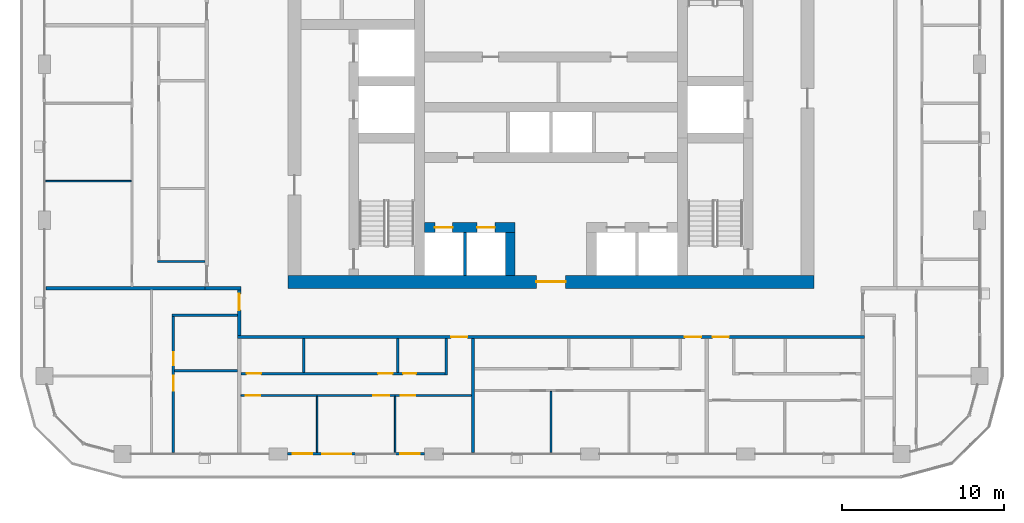
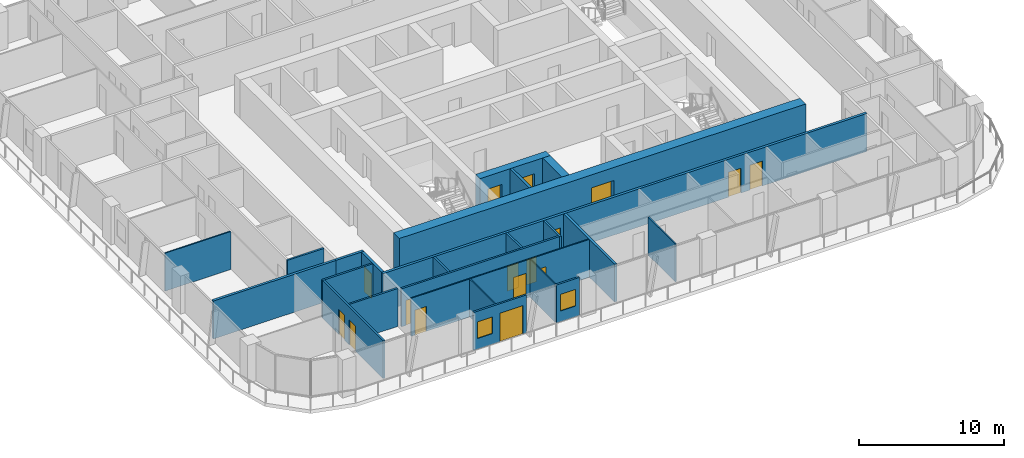
# One storey, part 9 of 22: 24 walls, 16 doors, 2 windows, 18 openings.
"""IFC4 building model written with IfcOpenShell, lengths in metres."""

from ifc_helpers import new_model, si_unit, direction, frame, frame_2d, origin, place, context, subcontext, project, spatial, rectangle, extrude, material, layer, layer_set, type_object, element, fill, save


model = new_model("IFC4")

# Units and contexts
model_context = context("Model", 3, precision=1e-05, world=origin(), true_north=direction((0.0, 1.0)))
body_context = subcontext(model_context, "Body", "Model", "MODEL_VIEW")
ifc_project = project(units=[si_unit("LENGTHUNIT", "METRE"), si_unit("AREAUNIT", "SQUARE_METRE"), si_unit("VOLUMEUNIT", "CUBIC_METRE"), si_unit("PLANEANGLEUNIT", "RADIAN"), si_unit("MASSUNIT", "GRAM", prefix="KILO")], contexts=[model_context])

# Site, building, storey
site_placement = place(None, origin())
site = spatial("IfcSite", under=ifc_project, at=site_placement, CompositionType="ELEMENT")
building_placement = place(site_placement, origin())
building = spatial("IfcBuilding", under=site, at=building_placement, Name="Madar Terraces", CompositionType="ELEMENT")
storey_placement = place(building_placement, frame((0.0, 0.0, 129.60009765625)))
storey = spatial("IfcBuildingStorey", under=building, at=storey_placement, Name="L33", CompositionType="ELEMENT", Elevation=129.60009765625)

# Wall, openings, doors
ifc_material_1 = material(Name="Concrete C70/85", Category="concrete")
ifc_layer_1 = layer(ifc_material_1, 0.60009765625)
ifc_layer_set_1 = layer_set([ifc_layer_1], Name="Concrete C70/85 (CIW3 RC wall 600)")
wall_type_1 = type_object("IfcWallType", Name="CIW3 RC wall 600", PredefinedType="SHEAR", material=ifc_layer_set_1)
wall_1_placement = place(storey_placement, frame((23.39990234375, 18.75, 0.0), z_axis=(0.0, 0.0, 1.0), x_axis=(1.0, 0.0, 0.0)))
wall_1 = element("IfcWall", 1, at=wall_1_placement, inside=storey, type_object=wall_type_1, Name="CORE SHAFT WALL", PredefinedType="SHEAR", context=body_context, shape_type="SweptSolid", body=[
    extrude(rectangle(XDim=5.60009765625, YDim=0.60009765625, at=frame_2d((2.800048828125, 0.0))), origin(), (0.0, 0.0, 1.0), 3.199951171875),
])
opening_1_placement = place(wall_1_placement, frame((0.64990234375, 0.0, 0.0)))
opening_1 = element("IfcOpeningElement", 2, at=opening_1_placement, cuts=wall_1, Name="Opening LD", PredefinedType="OPENING", context=body_context, shape_type="SweptSolid", body=[
    extrude(rectangle(XDim=1.10009765625, YDim=2.10009765625, at=frame_2d((0.550048828125, 1.050048828125))), frame((0.0, 0.31005859375, 0.0), z_axis=(0.0, -1.0, 0.0), x_axis=(1.0, 0.0, 0.0)), (0.0, 0.0, 1.0), 0.6201171875),
])
opening_2_placement = place(wall_1_placement, frame((3.25, 0.0, 0.0)))
opening_2 = element("IfcOpeningElement", 3, at=opening_2_placement, cuts=wall_1, Name="Opening LD", PredefinedType="OPENING", context=body_context, shape_type="SweptSolid", body=[
    extrude(rectangle(XDim=1.10009765625, YDim=2.10009765625, at=frame_2d((0.550048828125, 1.050048828125))), frame((0.0, 0.31005859375, 0.0), z_axis=(0.0, -1.0, 0.0), x_axis=(1.0, 0.0, 0.0)), (0.0, 0.0, 1.0), 0.6201171875),
])
ifc_material_2 = material(Name="Stainless steel panel", Category="steel")
door_type_1 = type_object("IfcDoorType", Name="Lift landing door 1100 x 2100", OperationType="DOUBLE_DOOR_SLIDING", PredefinedType="DOOR", material=ifc_material_2)
door_1_placement = place(opening_1_placement, origin())
door_1 = element("IfcDoor", 4, at=door_1_placement, inside=storey, type_object=door_type_1, Name="LIFT LANDING DOOR", OperationType="DOUBLE_DOOR_SLIDING", OverallHeight=2.10009765625, OverallWidth=1.10009765625, PredefinedType="DOOR", context=body_context, shape_type="SweptSolid", body=[
    extrude(rectangle(XDim=1.10009765625, YDim=2.10009765625, at=frame_2d((0.550048828125, 1.050048828125))), frame((0.0, 0.02490234375, 0.0), z_axis=(0.0, -1.0, 0.0), x_axis=(1.0, 0.0, 0.0)), (0.0, 0.0, 1.0), 0.050048828125),
])
fill(opening_1, door_1)
door_2_placement = place(opening_2_placement, origin())
door_2 = element("IfcDoor", 5, at=door_2_placement, inside=storey, type_object=door_type_1, Name="LIFT LANDING DOOR", OperationType="DOUBLE_DOOR_SLIDING", OverallHeight=2.10009765625, OverallWidth=1.10009765625, PredefinedType="DOOR", context=body_context, shape_type="SweptSolid", body=[
    extrude(rectangle(XDim=1.10009765625, YDim=2.10009765625, at=frame_2d((0.550048828125, 1.050048828125))), frame((0.0, 0.02490234375, 0.0), z_axis=(0.0, -1.0, 0.0), x_axis=(1.0, 0.0, 0.0)), (0.0, 0.0, 1.0), 0.050048828125),
])
fill(opening_2, door_2)

# Wall
wall_2_placement = place(storey_placement, frame((28.699951171875, 15.800048828125, 0.0), z_axis=(0.0, 0.0, 1.0), x_axis=(0.0, 1.0, 0.0)))
element("IfcWall", 6, at=wall_2_placement, inside=storey, type_object=wall_type_1, Name="CORE SHAFT WALL", PredefinedType="SHEAR", context=body_context, shape_type="SweptSolid", body=[
    extrude(rectangle(XDim=2.64990234375, YDim=0.60009765625, at=frame_2d((1.324951171875, 0.0))), origin(), (0.0, 0.0, 1.0), 3.199951171875),
])

# Wall, opening, door
ifc_material_3 = material(Name="Concrete C70/85", Category="concrete")
ifc_layer_2 = layer(ifc_material_3, 0.800048828125)
ifc_layer_set_2 = layer_set([ifc_layer_2], Name="Concrete C70/85 (CRW3 RC wall 800)")
wall_type_2 = type_object("IfcWallType", Name="CRW3 RC wall 800", PredefinedType="SHEAR", material=ifc_layer_set_2)
wall_3_placement = place(storey_placement, frame((15.0, 15.39990234375, 0.0), z_axis=(0.0, 0.0, 1.0), x_axis=(1.0, 0.0, 0.0)))
wall_3 = element("IfcWall", 7, at=wall_3_placement, inside=storey, type_object=wall_type_2, Name="CORE OUTER WALL", PredefinedType="SHEAR", context=body_context, shape_type="SweptSolid", body=[
    extrude(rectangle(XDim=32.39990234375, YDim=0.800048828125, at=frame_2d((16.199951171875, 0.0))), origin(), (0.0, 0.0, 1.0), 3.199951171875),
])
opening_3_placement = place(wall_3_placement, frame((15.300048828125, 0.0, 0.0)))
opening_3 = element("IfcOpeningElement", 8, at=opening_3_placement, cuts=wall_3, Name="Opening KD1", PredefinedType="OPENING", context=body_context, shape_type="SweptSolid", body=[
    extrude(rectangle(XDim=1.800048828125, YDim=2.10009765625, at=frame_2d((0.89990234375, 1.050048828125))), frame((0.0, 0.409912109375, 0.0), z_axis=(0.0, -1.0, 0.0), x_axis=(1.0, 0.0, 0.0)), (0.0, 0.0, 1.0), 0.820068359375),
])
ifc_material_4 = material(Name="Steel door leaf", Category="steel")
door_type_2 = type_object("IfcDoorType", Name="Lobby door pair 1800 x 2100", OperationType="DOUBLE_DOOR_SINGLE_SWING", PredefinedType="DOOR", material=ifc_material_4)
door_3_placement = place(opening_3_placement, frame((1.800048828125, 0.0, 0.0), z_axis=(0.0, 0.0, 1.0), x_axis=(-1.0, 0.0, 0.0)))
door_3 = element("IfcDoor", 9, at=door_3_placement, inside=storey, type_object=door_type_2, Name="LIFT LOBBY DOOR", OperationType="DOUBLE_DOOR_SINGLE_SWING", OverallHeight=2.10009765625, OverallWidth=1.800048828125, PredefinedType="DOOR", context=body_context, shape_type="SweptSolid", body=[
    extrude(rectangle(XDim=1.800048828125, YDim=2.10009765625, at=frame_2d((0.89990234375, 1.050048828125))), frame((0.0, 0.02490234375, 0.0), z_axis=(0.0, -1.0, 0.0), x_axis=(1.0, 0.0, 0.0)), (0.0, 0.0, 1.0), 0.050048828125),
])
fill(opening_3, door_3)

# Wall
ifc_material_5 = material(Name="Concrete C40/50", Category="concrete")
ifc_layer_3 = layer(ifc_material_5, 0.199951171875)
ifc_layer_set_3 = layer_set([ifc_layer_3], Name="Core shaft dividing wall 200 C40/50")
wall_type_3 = type_object("IfcWallType", Name="Core shaft dividing wall 200 C40/50", PredefinedType="SOLIDWALL", material=ifc_layer_set_3)
wall_4_placement = place(storey_placement, frame((25.89990234375, 15.800048828125, 0.0), z_axis=(0.0, 0.0, 1.0), x_axis=(0.0, 1.0, 0.0)))
element("IfcWall", 10, at=wall_4_placement, inside=storey, type_object=wall_type_3, Name="SHAFT DIVIDING WALL", PredefinedType="SOLIDWALL", context=body_context, shape_type="SweptSolid", body=[
    extrude(rectangle(XDim=2.64990234375, YDim=0.199951171875, at=frame_2d((1.324951171875, 0.0))), origin(), (0.0, 0.0, 1.0), 3.199951171875),
])

# Wall, openings, door, window
ifc_material_6 = material(Name="Aluminium composite panel, black, over insulated backing", Category="aluminium")
ifc_layer_4 = layer(ifc_material_6, 0.14990234375)
ifc_layer_set_4 = layer_set([ifc_layer_4], Name="Facade bay panel 150")
wall_type_4 = type_object("IfcWallType", Name="Facade bay panel 150", PredefinedType="SOLIDWALL", material=ifc_layer_set_4)
wall_5_placement = place(storey_placement, frame((14.97509765625, 4.800048828125, 0.0), z_axis=(0.0, 0.0, 1.0), x_axis=(1.0, 0.0, 0.0)))
wall_5 = element("IfcWall", 11, at=wall_5_placement, inside=storey, type_object=wall_type_4, Name="Facade bay panel", PredefinedType="SOLIDWALL", context=body_context, shape_type="SweptSolid", body=[
    extrude(rectangle(XDim=4.224853515625, YDim=0.14990234375, at=frame_2d((2.1123046875, 0.0))), origin(), (0.0, 0.0, 1.0), 3.199951171875),
])
opening_4_placement = place(wall_5_placement, frame((0.3125, 0.0, 0.89990234375)))
opening_4 = element("IfcOpeningElement", 12, at=opening_4_placement, cuts=wall_5, Name="Opening W1", PredefinedType="OPENING", context=body_context, shape_type="SweptSolid", body=[
    extrude(rectangle(XDim=1.199951171875, YDim=1.39990234375, at=frame_2d((0.60009765625, 0.699951171875))), frame((0.0, 0.0849609375, 0.0), z_axis=(0.0, -1.0, 0.0), x_axis=(1.0, 0.0, 0.0)), (0.0, 0.0, 1.0), 0.169921875),
])
opening_5_placement = place(wall_5_placement, frame((2.125, 0.0, 0.0)))
opening_5 = element("IfcOpeningElement", 13, at=opening_5_placement, cuts=wall_5, Name="Opening ED1", PredefinedType="OPENING", context=body_context, shape_type="SweptSolid", body=[
    extrude(rectangle(XDim=1.800048828125, YDim=2.39990234375, at=frame_2d((0.89990234375, 1.199951171875))), frame((0.0, 0.0849609375, 0.0), z_axis=(0.0, -1.0, 0.0), x_axis=(1.0, 0.0, 0.0)), (0.0, 0.0, 1.0), 0.169921875),
])
ifc_material_7 = material(Name="Glass, clear, with black aluminium frame", Category="aluminium")
door_type_3 = type_object("IfcDoorType", Name="Balcony and terrace sliding door 1800 x 2400", OperationType="SLIDING_TO_LEFT", PredefinedType="DOOR", material=ifc_material_7)
door_4_placement = place(opening_5_placement, origin())
door_4 = element("IfcDoor", 14, at=door_4_placement, inside=storey, type_object=door_type_3, Name="Balcony door", OperationType="SLIDING_TO_LEFT", OverallHeight=2.39990234375, OverallWidth=1.800048828125, PredefinedType="DOOR", context=body_context, shape_type="SweptSolid", body=[
    extrude(rectangle(XDim=1.800048828125, YDim=2.39990234375, at=frame_2d((0.89990234375, 1.199951171875))), frame((0.0, 0.02490234375, 0.0), z_axis=(0.0, -1.0, 0.0), x_axis=(1.0, 0.0, 0.0)), (0.0, 0.0, 1.0), 0.050048828125),
])
fill(opening_5, door_4)
ifc_material_8 = material(Name="Glass, clear, with black aluminium frame", Category="aluminium")
window_type = type_object("IfcWindowType", Name="Vent window 1200 x 1400", PartitioningType="SINGLE_PANEL", PredefinedType="WINDOW", material=ifc_material_8)
window_1_placement = place(opening_4_placement, origin())
window_1 = element("IfcWindow", 15, at=window_1_placement, inside=storey, type_object=window_type, Name="Operable vent window", OverallHeight=1.39990234375, OverallWidth=1.199951171875, PartitioningType="SINGLE_PANEL", PredefinedType="WINDOW", context=body_context, shape_type="SweptSolid", body=[
    extrude(rectangle(XDim=1.199951171875, YDim=1.39990234375, at=frame_2d((0.60009765625, 0.699951171875))), frame((0.0, 0.030029296875, 0.0), z_axis=(0.0, -1.0, 0.0), x_axis=(1.0, 0.0, 0.0)), (0.0, 0.0, 1.0), 0.06005859375),
])
fill(opening_4, window_1)

# Wall, opening, window
wall_6_placement = place(storey_placement, frame((21.60009765625, 4.800048828125, 0.0), z_axis=(0.0, 0.0, 1.0), x_axis=(1.0, 0.0, 0.0)))
wall_6 = element("IfcWall", 16, at=wall_6_placement, inside=storey, type_object=wall_type_4, Name="Facade bay panel", PredefinedType="SOLIDWALL", context=body_context, shape_type="SweptSolid", body=[
    extrude(rectangle(XDim=1.824951171875, YDim=0.14990234375, at=frame_2d((0.91259765625, 0.0))), origin(), (0.0, 0.0, 1.0), 3.199951171875),
])
opening_6_placement = place(wall_6_placement, frame((0.3125, 0.0, 0.89990234375)))
opening_6 = element("IfcOpeningElement", 17, at=opening_6_placement, cuts=wall_6, Name="Opening W1", PredefinedType="OPENING", context=body_context, shape_type="SweptSolid", body=[
    extrude(rectangle(XDim=1.199951171875, YDim=1.39990234375, at=frame_2d((0.60009765625, 0.699951171875))), frame((0.0, 0.0849609375, 0.0), z_axis=(0.0, -1.0, 0.0), x_axis=(1.0, 0.0, 0.0)), (0.0, 0.0, 1.0), 0.169921875),
])
window_2_placement = place(opening_6_placement, origin())
window_2 = element("IfcWindow", 18, at=window_2_placement, inside=storey, type_object=window_type, Name="Operable vent window", OverallHeight=1.39990234375, OverallWidth=1.199951171875, PartitioningType="SINGLE_PANEL", PredefinedType="WINDOW", context=body_context, shape_type="SweptSolid", body=[
    extrude(rectangle(XDim=1.199951171875, YDim=1.39990234375, at=frame_2d((0.60009765625, 0.699951171875))), frame((0.0, 0.030029296875, 0.0), z_axis=(0.0, -1.0, 0.0), x_axis=(1.0, 0.0, 0.0)), (0.0, 0.0, 1.0), 0.06005859375),
])
fill(opening_6, window_2)

# Walls
ifc_material_9 = material(Name="Gypsum board on steel studs", Category="steel")
ifc_layer_5 = layer(ifc_material_9, 0.10009765625)
ifc_layer_set_5 = layer_set([ifc_layer_5], Name="Flat partition 100")
wall_type_5 = type_object("IfcWallType", Name="Flat partition 100", PredefinedType="PARTITIONING", material=ifc_layer_set_5)
for number, where, z_axis, x_axis, name in (
    (19, (21.60009765625, 8.35009765625, 0.0), (0.0, 0.0, 1.0), (0.0, -1.0, 0.0), "Flat partition 100"),
    (20, (16.800048828125, 8.35009765625, 0.0), (0.0, 0.0, 1.0), (0.0, -1.0, 0.0), "Flat partition 100"),
):
    element("IfcWall", number, at=place(storey_placement, frame(where, z_axis=z_axis, x_axis=x_axis)), inside=storey, type_object=wall_type_5, Name=name, PredefinedType="PARTITIONING", context=body_context, shape_type="SweptSolid", body=[
        extrude(rectangle(XDim=3.4501953125, YDim=0.10009765625, at=frame_2d((1.72509765625, 0.0))), origin(), (0.0, 0.0, 1.0), 3.199951171875),
    ])

# Wall, openings, doors
wall_7_placement = place(storey_placement, frame((26.300048828125, 8.39990234375, 0.0), z_axis=(0.0, 0.0, 1.0), x_axis=(-1.0, 0.0, 0.0)))
wall_7 = element("IfcWall", 21, at=wall_7_placement, inside=storey, type_object=wall_type_5, Name="Flat partition 100", PredefinedType="PARTITIONING", context=body_context, shape_type="SweptSolid", body=[
    extrude(rectangle(XDim=14.199951171875, YDim=0.10009765625, at=frame_2d((7.10009765625, 0.0))), origin(), (0.0, 0.0, 1.0), 3.199951171875),
])
opening_7_placement = place(wall_7_placement, frame((3.449951171875, 0.0, 0.0)))
opening_7 = element("IfcOpeningElement", 22, at=opening_7_placement, cuts=wall_7, Name="Opening D2", PredefinedType="OPENING", context=body_context, shape_type="SweptSolid", body=[
    extrude(rectangle(XDim=0.89990234375, YDim=2.10009765625, at=frame_2d((0.449951171875, 1.050048828125))), frame((0.0, 0.06005859375, 0.0), z_axis=(0.0, -1.0, 0.0), x_axis=(1.0, 0.0, 0.0)), (0.0, 0.0, 1.0), 0.1201171875),
])
opening_8_placement = place(wall_7_placement, frame((5.050048828125, 0.0, 0.0)))
opening_8 = element("IfcOpeningElement", 23, at=opening_8_placement, cuts=wall_7, Name="Opening D3", PredefinedType="OPENING", context=body_context, shape_type="SweptSolid", body=[
    extrude(rectangle(XDim=1.0, YDim=2.10009765625, at=frame_2d((0.5, 1.050048828125))), frame((0.0, 0.06005859375, 0.0), z_axis=(0.0, -1.0, 0.0), x_axis=(1.0, 0.0, 0.0)), (0.0, 0.0, 1.0), 0.1201171875),
])
opening_9_placement = place(wall_7_placement, frame((13.0, 0.0, 0.0)))
opening_9 = element("IfcOpeningElement", 24, at=opening_9_placement, cuts=wall_7, Name="Opening D2", PredefinedType="OPENING", context=body_context, shape_type="SweptSolid", body=[
    extrude(rectangle(XDim=0.89990234375, YDim=2.10009765625, at=frame_2d((0.449951171875, 1.050048828125))), frame((0.0, 0.06005859375, 0.0), z_axis=(0.0, -1.0, 0.0), x_axis=(1.0, 0.0, 0.0)), (0.0, 0.0, 1.0), 0.1201171875),
])
ifc_material_10 = material(Name="Timber door leaf", Category="wood")
door_type_4 = type_object("IfcDoorType", Name="Flat living room door 1000", OperationType="NOTDEFINED", PredefinedType="DOOR", material=ifc_material_10)
door_5_placement = place(opening_8_placement, origin())
door_5 = element("IfcDoor", 25, at=door_5_placement, inside=storey, type_object=door_type_4, Name="Flat living room door 1000", OperationType="SINGLE_SWING_LEFT", OverallHeight=2.10009765625, OverallWidth=1.0, PredefinedType="DOOR", context=body_context, shape_type="SweptSolid", body=[
    extrude(rectangle(XDim=1.0, YDim=2.10009765625, at=frame_2d((0.5, 1.050048828125))), frame((0.0, 0.02490234375, 0.0), z_axis=(0.0, -1.0, 0.0), x_axis=(1.0, 0.0, 0.0)), (0.0, 0.0, 1.0), 0.050048828125),
])
fill(opening_8, door_5)
ifc_material_11 = material(Name="Timber door leaf", Category="wood")
door_type_5 = type_object("IfcDoorType", Name="Flat room door 900", OperationType="NOTDEFINED", PredefinedType="DOOR", material=ifc_material_11)
door_6_placement = place(opening_7_placement, origin())
door_6 = element("IfcDoor", 26, at=door_6_placement, inside=storey, type_object=door_type_5, Name="Flat room door 900", OperationType="SINGLE_SWING_RIGHT", OverallHeight=2.10009765625, OverallWidth=0.89990234375, PredefinedType="DOOR", context=body_context, shape_type="SweptSolid", body=[
    extrude(rectangle(XDim=0.89990234375, YDim=2.10009765625, at=frame_2d((0.449951171875, 1.050048828125))), frame((0.0, 0.02490234375, 0.0), z_axis=(0.0, -1.0, 0.0), x_axis=(1.0, 0.0, 0.0)), (0.0, 0.0, 1.0), 0.050048828125),
])
fill(opening_7, door_6)
door_7_placement = place(opening_9_placement, origin())
door_7 = element("IfcDoor", 27, at=door_7_placement, inside=storey, type_object=door_type_5, Name="Flat room door 900", OperationType="SINGLE_SWING_RIGHT", OverallHeight=2.10009765625, OverallWidth=0.89990234375, PredefinedType="DOOR", context=body_context, shape_type="SweptSolid", body=[
    extrude(rectangle(XDim=0.89990234375, YDim=2.10009765625, at=frame_2d((0.449951171875, 1.050048828125))), frame((0.0, 0.02490234375, 0.0), z_axis=(0.0, -1.0, 0.0), x_axis=(1.0, 0.0, 0.0)), (0.0, 0.0, 1.0), 0.050048828125),
])
fill(opening_9, door_7)

# Walls
wall_8_placement = place(storey_placement, frame((31.199951171875, 8.64990234375, 0.0), z_axis=(0.0, 0.0, 1.0), x_axis=(0.0, -1.0, 0.0)))
element("IfcWall", 28, at=wall_8_placement, inside=storey, type_object=wall_type_5, Name="Flat partition 100", PredefinedType="PARTITIONING", context=body_context, shape_type="SweptSolid", body=[
    extrude(rectangle(XDim=3.75, YDim=0.10009765625, at=frame_2d((1.875, 0.0))), origin(), (0.0, 0.0, 1.0), 3.199951171875),
])
wall_9_placement = place(storey_placement, frame((5.35009765625, 21.60009765625, 0.0), z_axis=(0.0, 0.0, 1.0), x_axis=(-1.0, 0.0, 0.0)))
element("IfcWall", 29, at=wall_9_placement, inside=storey, type_object=wall_type_5, Name="Flat partition 100", PredefinedType="PARTITIONING", context=body_context, shape_type="SweptSolid", body=[
    extrude(rectangle(XDim=5.25, YDim=0.10009765625, at=frame_2d((2.625, 0.0))), origin(), (0.0, 0.0, 1.0), 3.199951171875),
])

# Wall, openings, doors
ifc_material_12 = material(Name="Lightweight blockwork", Category="masonry")
ifc_layer_6 = layer(ifc_material_12, 0.199951171875)
ifc_layer_set_6 = layer_set([ifc_layer_6], Name="Flat party and entrance wall 200")
wall_type_6 = type_object("IfcWallType", Name="Flat party and entrance wall 200", PredefinedType="PARTITIONING", material=ifc_layer_set_6)
wall_10_placement = place(storey_placement, frame((50.5, 12.0, 0.0), z_axis=(0.0, 0.0, 1.0), x_axis=(-1.0, 0.0, 0.0)))
wall_10 = element("IfcWall", 30, at=wall_10_placement, inside=storey, type_object=wall_type_6, Name="Flat party and entrance wall 200", PredefinedType="PARTITIONING", context=body_context, shape_type="SweptSolid", body=[
    extrude(rectangle(XDim=38.60009765625, YDim=0.199951171875, at=frame_2d((19.300048828125, 0.0))), origin(), (0.0, 0.0, 1.0), 3.199951171875),
])
opening_10_placement = place(wall_10_placement, frame((24.449951171875, 0.0, 0.0)))
opening_10 = element("IfcOpeningElement", 31, at=opening_10_placement, cuts=wall_10, Name="Opening D1", PredefinedType="OPENING", context=body_context, shape_type="SweptSolid", body=[
    extrude(rectangle(XDim=1.0, YDim=2.10009765625, at=frame_2d((0.5, 1.050048828125))), frame((0.0, 0.10986328125, 0.0), z_axis=(0.0, -1.0, 0.0), x_axis=(1.0, 0.0, 0.0)), (0.0, 0.0, 1.0), 0.219970703125),
])
opening_11_placement = place(wall_10_placement, frame((10.050048828125, 0.0, 0.0)))
opening_11 = element("IfcOpeningElement", 32, at=opening_11_placement, cuts=wall_10, Name="Opening D1", PredefinedType="OPENING", context=body_context, shape_type="SweptSolid", body=[
    extrude(rectangle(XDim=1.0, YDim=2.10009765625, at=frame_2d((0.5, 1.050048828125))), frame((0.0, 0.10986328125, 0.0), z_axis=(0.0, -1.0, 0.0), x_axis=(1.0, 0.0, 0.0)), (0.0, 0.0, 1.0), 0.219970703125),
])
opening_12_placement = place(wall_10_placement, frame((8.35009765625, 0.0, 0.0)))
opening_12 = element("IfcOpeningElement", 33, at=opening_12_placement, cuts=wall_10, Name="Opening D1", PredefinedType="OPENING", context=body_context, shape_type="SweptSolid", body=[
    extrude(rectangle(XDim=1.0, YDim=2.10009765625, at=frame_2d((0.5, 1.050048828125))), frame((0.0, 0.10986328125, 0.0), z_axis=(0.0, -1.0, 0.0), x_axis=(1.0, 0.0, 0.0)), (0.0, 0.0, 1.0), 0.219970703125),
])
ifc_material_13 = material(Name="Timber fire door leaf", Category="wood")
door_type_6 = type_object("IfcDoorType", Name="Flat entrance door 1000 FD30S", OperationType="NOTDEFINED", PredefinedType="DOOR", material=ifc_material_13)
door_8_placement = place(opening_10_placement, origin())
door_8 = element("IfcDoor", 34, at=door_8_placement, inside=storey, type_object=door_type_6, Name="Flat entrance door 1000 FD30S", OperationType="SINGLE_SWING_LEFT", OverallHeight=2.10009765625, OverallWidth=1.0, PredefinedType="DOOR", context=body_context, shape_type="SweptSolid", body=[
    extrude(rectangle(XDim=1.0, YDim=2.10009765625, at=frame_2d((0.5, 1.050048828125))), frame((0.0, 0.02490234375, 0.0), z_axis=(0.0, -1.0, 0.0), x_axis=(1.0, 0.0, 0.0)), (0.0, 0.0, 1.0), 0.050048828125),
])
fill(opening_10, door_8)
door_9_placement = place(opening_11_placement, origin())
door_9 = element("IfcDoor", 35, at=door_9_placement, inside=storey, type_object=door_type_6, Name="Flat entrance door 1000 FD30S", OperationType="SINGLE_SWING_LEFT", OverallHeight=2.10009765625, OverallWidth=1.0, PredefinedType="DOOR", context=body_context, shape_type="SweptSolid", body=[
    extrude(rectangle(XDim=1.0, YDim=2.10009765625, at=frame_2d((0.5, 1.050048828125))), frame((0.0, 0.02490234375, 0.0), z_axis=(0.0, -1.0, 0.0), x_axis=(1.0, 0.0, 0.0)), (0.0, 0.0, 1.0), 0.050048828125),
])
fill(opening_11, door_9)
door_10_placement = place(opening_12_placement, origin())
door_10 = element("IfcDoor", 36, at=door_10_placement, inside=storey, type_object=door_type_6, Name="Flat entrance door 1000 FD30S", OperationType="SINGLE_SWING_RIGHT", OverallHeight=2.10009765625, OverallWidth=1.0, PredefinedType="DOOR", context=body_context, shape_type="SweptSolid", body=[
    extrude(rectangle(XDim=1.0, YDim=2.10009765625, at=frame_2d((0.5, 1.050048828125))), frame((0.0, 0.02490234375, 0.0), z_axis=(0.0, -1.0, 0.0), x_axis=(1.0, 0.0, 0.0)), (0.0, 0.0, 1.0), 0.050048828125),
])
fill(opening_12, door_10)

# Wall
wall_11_placement = place(storey_placement, frame((9.89990234375, 15.0, 0.0), z_axis=(0.0, 0.0, 1.0), x_axis=(1.0, 0.0, 0.0)))
element("IfcWall", 37, at=wall_11_placement, inside=storey, type_object=wall_type_6, Name="Flat party and entrance wall 200", PredefinedType="PARTITIONING", context=body_context, shape_type="SweptSolid", body=[
    extrude(rectangle(XDim=2.2001953125, YDim=0.199951171875, at=frame_2d((1.10009765625, 0.0))), origin(), (0.0, 0.0, 1.0), 3.199951171875),
])

# Wall, opening, door
wall_12_placement = place(storey_placement, frame((12.0, 12.10009765625, 0.0), z_axis=(0.0, 0.0, 1.0), x_axis=(0.0, 1.0, 0.0)))
wall_12 = element("IfcWall", 38, at=wall_12_placement, inside=storey, type_object=wall_type_6, Name="Flat party and entrance wall 200", PredefinedType="PARTITIONING", context=body_context, shape_type="SweptSolid", body=[
    extrude(rectangle(XDim=2.7998046875, YDim=0.199951171875, at=frame_2d((1.39990234375, 0.0))), origin(), (0.0, 0.0, 1.0), 3.199951171875),
])
opening_13_placement = place(wall_12_placement, frame((1.550048828125, 0.0, 0.0)))
opening_13 = element("IfcOpeningElement", 39, at=opening_13_placement, cuts=wall_12, Name="Opening D1", PredefinedType="OPENING", context=body_context, shape_type="SweptSolid", body=[
    extrude(rectangle(XDim=1.0, YDim=2.10009765625, at=frame_2d((0.5, 1.050048828125))), frame((0.0, 0.10986328125, 0.0), z_axis=(0.0, -1.0, 0.0), x_axis=(1.0, 0.0, 0.0)), (0.0, 0.0, 1.0), 0.219970703125),
])
door_11_placement = place(opening_13_placement, origin())
door_11 = element("IfcDoor", 40, at=door_11_placement, inside=storey, type_object=door_type_6, Name="Flat entrance door 1000 FD30S", OperationType="SINGLE_SWING_RIGHT", OverallHeight=2.10009765625, OverallWidth=1.0, PredefinedType="DOOR", context=body_context, shape_type="SweptSolid", body=[
    extrude(rectangle(XDim=1.0, YDim=2.10009765625, at=frame_2d((0.5, 1.050048828125))), frame((0.0, 0.02490234375, 0.0), z_axis=(0.0, -1.0, 0.0), x_axis=(1.0, 0.0, 0.0)), (0.0, 0.0, 1.0), 0.050048828125),
])
fill(opening_13, door_11)

# Walls
wall_13_placement = place(storey_placement, frame((26.39990234375, 11.89990234375, 0.0), z_axis=(0.0, 0.0, 1.0), x_axis=(0.0, -1.0, 0.0)))
element("IfcWall", 41, at=wall_13_placement, inside=storey, type_object=wall_type_6, Name="Flat party and entrance wall 200", PredefinedType="PARTITIONING", context=body_context, shape_type="SweptSolid", body=[
    extrude(rectangle(XDim=7.0, YDim=0.199951171875, at=frame_2d((3.5, 0.0))), origin(), (0.0, 0.0, 1.0), 3.199951171875),
])
wall_14_placement = place(storey_placement, frame((0.10009765625, 15.0, 0.0), z_axis=(0.0, 0.0, 1.0), x_axis=(1.0, 0.0, 0.0)))
element("IfcWall", 42, at=wall_14_placement, inside=storey, type_object=wall_type_6, Name="Flat party and entrance wall 200", PredefinedType="PARTITIONING", context=body_context, shape_type="SweptSolid", body=[
    extrude(rectangle(XDim=9.7998046875, YDim=0.199951171875, at=frame_2d((4.89990234375, 0.0))), origin(), (0.0, 0.0, 1.0), 3.199951171875),
])
ifc_material_14 = material(Name="Lightweight blockwork", Category="masonry")
ifc_layer_7 = layer(ifc_material_14, 0.14990234375)
ifc_layer_set_7 = layer_set([ifc_layer_7], Name="Flat wet-room partition 150")
wall_type_7 = type_object("IfcWallType", Name="Flat wet-room partition 150", PredefinedType="PARTITIONING", material=ifc_layer_set_7)
for number, where, z_axis, x_axis, name in (
    (43, (21.773193359375, 11.89990234375, 0.0), (0.0, 0.0, 1.0), (0.0, -1.0, 0.0), "Flat wet-room partition 150"),
    (44, (15.96923828125, 11.89990234375, 0.0), (0.0, 0.0, 1.0), (0.0, -1.0, 0.0), "Flat wet-room partition 150"),
):
    element("IfcWall", number, at=place(storey_placement, frame(where, z_axis=z_axis, x_axis=x_axis)), inside=storey, type_object=wall_type_7, Name=name, PredefinedType="PARTITIONING", context=body_context, shape_type="SweptSolid", body=[
        extrude(rectangle(XDim=2.074951171875, YDim=0.14990234375, at=frame_2d((1.03759765625, 0.0))), origin(), (0.0, 0.0, 1.0), 3.199951171875),
    ])
wall_15_placement = place(storey_placement, frame((24.75, 11.89990234375, 0.0), z_axis=(0.0, 0.0, 1.0), x_axis=(0.0, -1.0, 0.0)))
element("IfcWall", 45, at=wall_15_placement, inside=storey, type_object=wall_type_7, Name="Flat wet-room partition 150", PredefinedType="PARTITIONING", context=body_context, shape_type="SweptSolid", body=[
    extrude(rectangle(XDim=2.224853515625, YDim=0.14990234375, at=frame_2d((1.1123046875, 0.0))), origin(), (0.0, 0.0, 1.0), 3.199951171875),
])

# Wall, openings, doors
wall_16_placement = place(storey_placement, frame((12.10009765625, 9.75, 0.0), z_axis=(0.0, 0.0, 1.0), x_axis=(1.0, 0.0, 0.0)))
wall_16 = element("IfcWall", 46, at=wall_16_placement, inside=storey, type_object=wall_type_7, Name="Flat wet-room partition 150", PredefinedType="PARTITIONING", context=body_context, shape_type="SweptSolid", body=[
    extrude(rectangle(XDim=12.574951171875, YDim=0.14990234375, at=frame_2d((6.28759765625, 0.0))), origin(), (0.0, 0.0, 1.0), 3.199951171875),
])
opening_14_placement = place(wall_16_placement, frame((9.998046875, 0.0, 0.0)))
opening_14 = element("IfcOpeningElement", 47, at=opening_14_placement, cuts=wall_16, Name="Opening D4", PredefinedType="OPENING", context=body_context, shape_type="SweptSolid", body=[
    extrude(rectangle(XDim=0.800048828125, YDim=2.10009765625, at=frame_2d((0.39990234375, 1.050048828125))), frame((0.0, 0.0849609375, 0.0), z_axis=(0.0, -1.0, 0.0), x_axis=(1.0, 0.0, 0.0)), (0.0, 0.0, 1.0), 0.169921875),
])
opening_15_placement = place(wall_16_placement, frame((8.447998046875, 0.0, 0.0)))
opening_15 = element("IfcOpeningElement", 48, at=opening_15_placement, cuts=wall_16, Name="Opening D2", PredefinedType="OPENING", context=body_context, shape_type="SweptSolid", body=[
    extrude(rectangle(XDim=0.89990234375, YDim=2.10009765625, at=frame_2d((0.449951171875, 1.050048828125))), frame((0.0, 0.0849609375, 0.0), z_axis=(0.0, -1.0, 0.0), x_axis=(1.0, 0.0, 0.0)), (0.0, 0.0, 1.0), 0.169921875),
])
opening_16_placement = place(wall_16_placement, frame((0.35009765625, 0.0, 0.0)))
opening_16 = element("IfcOpeningElement", 49, at=opening_16_placement, cuts=wall_16, Name="Opening D5", PredefinedType="OPENING", context=body_context, shape_type="SweptSolid", body=[
    extrude(rectangle(XDim=0.89990234375, YDim=2.10009765625, at=frame_2d((0.449951171875, 1.050048828125))), frame((0.0, 0.0849609375, 0.0), z_axis=(0.0, -1.0, 0.0), x_axis=(1.0, 0.0, 0.0)), (0.0, 0.0, 1.0), 0.169921875),
])
ifc_material_15 = material(Name="Timber door leaf", Category="wood")
door_type_7 = type_object("IfcDoorType", Name="Flat accessible bathroom door 900", OperationType="NOTDEFINED", PredefinedType="DOOR", material=ifc_material_15)
door_12_placement = place(opening_16_placement, origin())
door_12 = element("IfcDoor", 50, at=door_12_placement, inside=storey, type_object=door_type_7, Name="Flat accessible bathroom door 900", OperationType="SINGLE_SWING_LEFT", OverallHeight=2.10009765625, OverallWidth=0.89990234375, PredefinedType="DOOR", context=body_context, shape_type="SweptSolid", body=[
    extrude(rectangle(XDim=0.89990234375, YDim=2.10009765625, at=frame_2d((0.449951171875, 1.050048828125))), frame((0.0, 0.02490234375, 0.0), z_axis=(0.0, -1.0, 0.0), x_axis=(1.0, 0.0, 0.0)), (0.0, 0.0, 1.0), 0.050048828125),
])
fill(opening_16, door_12)
ifc_material_16 = material(Name="Timber door leaf", Category="wood")
door_type_8 = type_object("IfcDoorType", Name="Flat bathroom door 800", OperationType="NOTDEFINED", PredefinedType="DOOR", material=ifc_material_16)
door_13_placement = place(opening_14_placement, origin())
door_13 = element("IfcDoor", 51, at=door_13_placement, inside=storey, type_object=door_type_8, Name="Flat bathroom door 800", OperationType="SINGLE_SWING_LEFT", OverallHeight=2.10009765625, OverallWidth=0.800048828125, PredefinedType="DOOR", context=body_context, shape_type="SweptSolid", body=[
    extrude(rectangle(XDim=0.800048828125, YDim=2.10009765625, at=frame_2d((0.39990234375, 1.050048828125))), frame((0.0, 0.02490234375, 0.0), z_axis=(0.0, -1.0, 0.0), x_axis=(1.0, 0.0, 0.0)), (0.0, 0.0, 1.0), 0.050048828125),
])
fill(opening_14, door_13)
door_14_placement = place(opening_15_placement, origin())
door_14 = element("IfcDoor", 52, at=door_14_placement, inside=storey, type_object=door_type_5, Name="Flat room door 900", OperationType="SINGLE_SWING_RIGHT", OverallHeight=2.10009765625, OverallWidth=0.89990234375, PredefinedType="DOOR", context=body_context, shape_type="SweptSolid", body=[
    extrude(rectangle(XDim=0.89990234375, YDim=2.10009765625, at=frame_2d((0.449951171875, 1.050048828125))), frame((0.0, 0.02490234375, 0.0), z_axis=(0.0, -1.0, 0.0), x_axis=(1.0, 0.0, 0.0)), (0.0, 0.0, 1.0), 0.050048828125),
])
fill(opening_15, door_14)

# Walls
wall_17_placement = place(storey_placement, frame((9.89990234375, 16.64990234375, 0.0), z_axis=(0.0, 0.0, 1.0), x_axis=(-1.0, 0.0, 0.0)))
element("IfcWall", 53, at=wall_17_placement, inside=storey, type_object=wall_type_7, Name="Flat wet-room partition 150", PredefinedType="PARTITIONING", context=body_context, shape_type="SweptSolid", body=[
    extrude(rectangle(XDim=2.9248046875, YDim=0.14990234375, at=frame_2d((1.46240234375, 0.0))), origin(), (0.0, 0.0, 1.0), 3.199951171875),
])
wall_18_placement = place(storey_placement, frame((11.89990234375, 9.925048828125, 0.0), z_axis=(0.0, 0.0, 1.0), x_axis=(-1.0, 0.0, 0.0)))
element("IfcWall", 54, at=wall_18_placement, inside=storey, type_object=wall_type_7, Name="Flat wet-room partition 150", PredefinedType="PARTITIONING", context=body_context, shape_type="SweptSolid", body=[
    extrude(rectangle(XDim=3.875, YDim=0.14990234375, at=frame_2d((1.9375, 0.0))), origin(), (0.0, 0.0, 1.0), 3.199951171875),
])
wall_19_placement = place(storey_placement, frame((11.89990234375, 13.35009765625, 0.0), z_axis=(0.0, 0.0, 1.0), x_axis=(-1.0, 0.0, 0.0)))
element("IfcWall", 55, at=wall_19_placement, inside=storey, type_object=wall_type_7, Name="Flat wet-room partition 150", PredefinedType="PARTITIONING", context=body_context, shape_type="SweptSolid", body=[
    extrude(rectangle(XDim=4.02490234375, YDim=0.14990234375, at=frame_2d((2.012451171875, 0.0))), origin(), (0.0, 0.0, 1.0), 3.199951171875),
])

# Wall, openings, doors
wall_20_placement = place(storey_placement, frame((7.949951171875, 13.27490234375, 0.0), z_axis=(0.0, 0.0, 1.0), x_axis=(0.0, -1.0, 0.0)))
wall_20 = element("IfcWall", 56, at=wall_20_placement, inside=storey, type_object=wall_type_7, Name="Flat wet-room partition 150", PredefinedType="PARTITIONING", context=body_context, shape_type="SweptSolid", body=[
    extrude(rectangle(XDim=8.375, YDim=0.14990234375, at=frame_2d((4.1875, 0.0))), origin(), (0.0, 0.0, 1.0), 3.199951171875),
])
opening_17_placement = place(wall_20_placement, frame((2.22509765625, 0.0, 0.0)))
opening_17 = element("IfcOpeningElement", 57, at=opening_17_placement, cuts=wall_20, Name="Opening D4", PredefinedType="OPENING", context=body_context, shape_type="SweptSolid", body=[
    extrude(rectangle(XDim=0.800048828125, YDim=2.10009765625, at=frame_2d((0.39990234375, 1.050048828125))), frame((0.0, 0.0849609375, 0.0), z_axis=(0.0, -1.0, 0.0), x_axis=(1.0, 0.0, 0.0)), (0.0, 0.0, 1.0), 0.169921875),
])
opening_18_placement = place(wall_20_placement, frame((3.675048828125, 0.0, 0.0)))
opening_18 = element("IfcOpeningElement", 58, at=opening_18_placement, cuts=wall_20, Name="Opening D2", PredefinedType="OPENING", context=body_context, shape_type="SweptSolid", body=[
    extrude(rectangle(XDim=0.89990234375, YDim=2.10009765625, at=frame_2d((0.449951171875, 1.050048828125))), frame((0.0, 0.0849609375, 0.0), z_axis=(0.0, -1.0, 0.0), x_axis=(1.0, 0.0, 0.0)), (0.0, 0.0, 1.0), 0.169921875),
])
door_15_placement = place(opening_17_placement, origin())
door_15 = element("IfcDoor", 59, at=door_15_placement, inside=storey, type_object=door_type_8, Name="Flat bathroom door 800", OperationType="SINGLE_SWING_RIGHT", OverallHeight=2.10009765625, OverallWidth=0.800048828125, PredefinedType="DOOR", context=body_context, shape_type="SweptSolid", body=[
    extrude(rectangle(XDim=0.800048828125, YDim=2.10009765625, at=frame_2d((0.39990234375, 1.050048828125))), frame((0.0, 0.02490234375, 0.0), z_axis=(0.0, -1.0, 0.0), x_axis=(1.0, 0.0, 0.0)), (0.0, 0.0, 1.0), 0.050048828125),
])
fill(opening_17, door_15)
door_16_placement = place(opening_18_placement, origin())
door_16 = element("IfcDoor", 60, at=door_16_placement, inside=storey, type_object=door_type_5, Name="Flat room door 900", OperationType="SINGLE_SWING_LEFT", OverallHeight=2.10009765625, OverallWidth=0.89990234375, PredefinedType="DOOR", context=body_context, shape_type="SweptSolid", body=[
    extrude(rectangle(XDim=0.89990234375, YDim=2.10009765625, at=frame_2d((0.449951171875, 1.050048828125))), frame((0.0, 0.02490234375, 0.0), z_axis=(0.0, -1.0, 0.0), x_axis=(1.0, 0.0, 0.0)), (0.0, 0.0, 1.0), 0.050048828125),
])
fill(opening_18, door_16)

save(model, "model.ifc")
